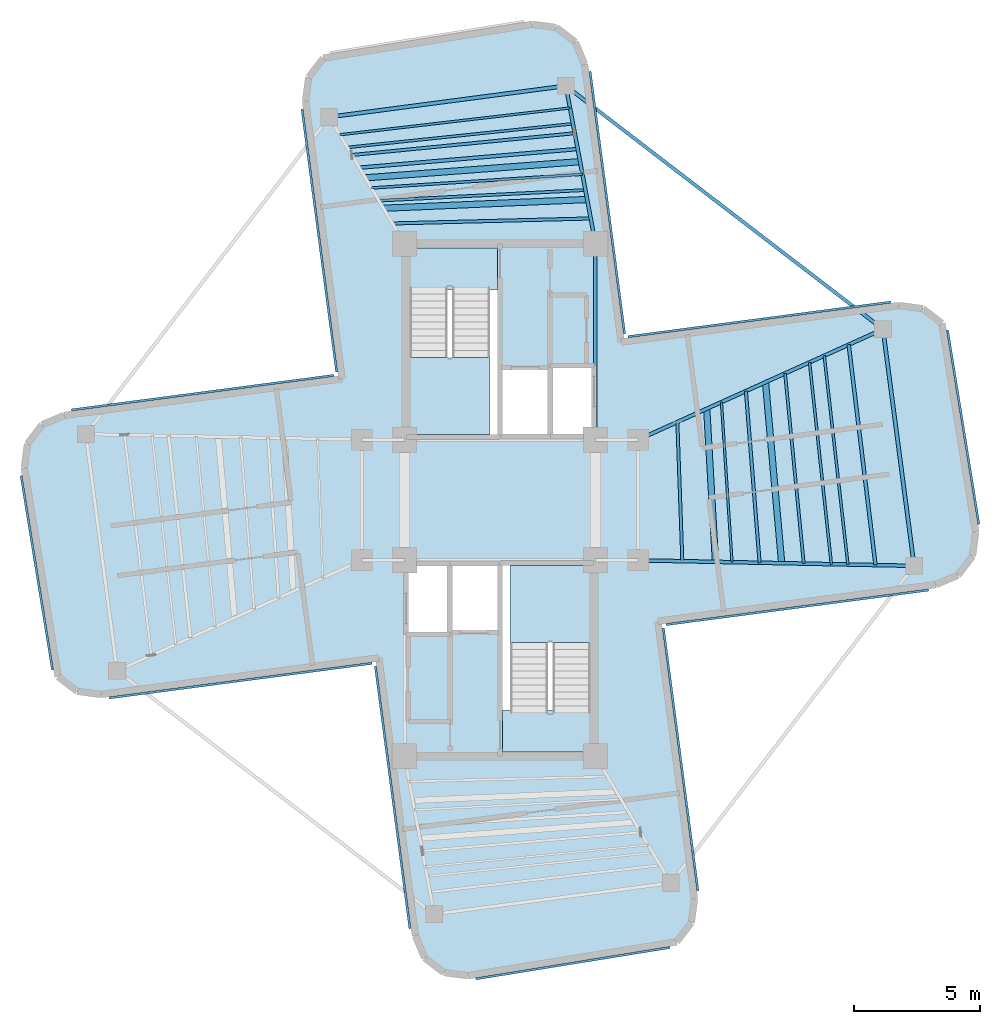
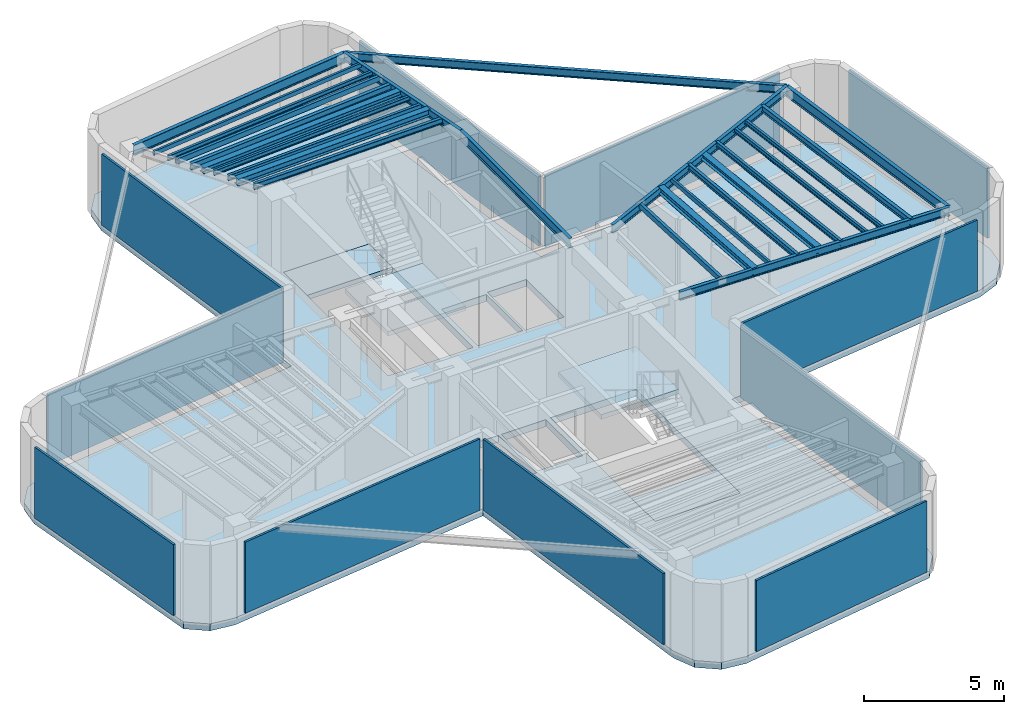
# One storey, part 2 of 6: 25 beams, 11 plates, 5 slabs, 2 elements without a shape of their own.
"""IFC4 building model written with IfcOpenShell, lengths in metres."""

from ifc_helpers import new_model, si_unit, direction, frame, origin, origin_2d, place, context, subcontext, project, spatial, polyline, rectangle, hollow_rectangle, i_section, outline, extrude, source, transform, mapped, material, layer, layer_set, material_profile, profile_set, type_object, element, aggregate, save


model = new_model("IFC4")

# Units and contexts
model_context = context("Model", 3, precision=1e-05, world=origin(), true_north=direction((0.0, 1.0)))
body_context = subcontext(model_context, "Body", "Model", "MODEL_VIEW")
ifc_project = project(units=[si_unit("LENGTHUNIT", "METRE"), si_unit("AREAUNIT", "SQUARE_METRE"), si_unit("VOLUMEUNIT", "CUBIC_METRE"), si_unit("PLANEANGLEUNIT", "RADIAN"), si_unit("MASSUNIT", "GRAM", prefix="KILO")], contexts=[model_context])

# Site, building, storey
site_placement = place(None, origin())
site = spatial("IfcSite", under=ifc_project, at=site_placement, CompositionType="ELEMENT")
building_placement = place(site_placement, origin())
building = spatial("IfcBuilding", under=site, at=building_placement, Name="Sahyath Konkavel Grand Hotel", CompositionType="ELEMENT")
storey_placement = place(building_placement, frame((0.0, 0.0, 296.5)))
storey = spatial("IfcBuildingStorey", under=building, at=storey_placement, Name="L82", CompositionType="ELEMENT", Elevation=296.5)

# Beams
ifc_material_1 = material(Name="Steel E350", Category="steel")
ifc_material_profile_1 = material_profile(ifc_material_1, i_section(OverallWidth=0.139892578125, OverallDepth=0.39990234375, WebThickness=0.0087890625, FlangeThickness=0.01611328125, FilletRadius=0.013916015625, at=origin_2d()), Name="ISMB 400")
ifc_profile_set_1 = profile_set([ifc_material_profile_1], Name="Steel E350")
beam_type_1 = type_object("IfcBeamType", Name="BM-ISMB400", PredefinedType="BEAM", material=ifc_profile_set_1)
shared_shape_1 = source(origin(), body_context, "Body", "SweptSolid", [
    extrude(i_section(OverallWidth=0.139892578125, OverallDepth=0.39990234375, WebThickness=0.0087890625, FlangeThickness=0.01611328125, FilletRadius=0.013916015625, at=origin_2d()), origin(), (0.0, 0.0, 1.0), 7.800048828125),
])
beam_1_placement = place(storey_placement, frame((3.800048828125, 2.39990234375, 3.300048828125), z_axis=(0.0, 1.0, 0.0), x_axis=(-1.0, 0.0, 0.0)))
element("IfcBeam", 1, at=beam_1_placement, inside=storey, type_object=beam_type_1, Name="str:bm:L82:NC-E", PredefinedType="BEAM", context=body_context, shape_type="MappedRepresentation", body=[
    mapped(shared_shape_1, transform((0.0, 0.0, 0.0), scale=1.0)),
])
ifc_material_profile_2 = material_profile(ifc_material_1, i_section(OverallWidth=0.14990234375, OverallDepth=0.449951171875, WebThickness=0.009521484375, FlangeThickness=0.017333984375, FilletRadius=0.014892578125, at=origin_2d()), Name="ISMB 450")
ifc_profile_set_2 = profile_set([ifc_material_profile_2], Name="Steel E350")
beam_type_2 = type_object("IfcBeamType", Name="BM-ISMB450", PredefinedType="BEAM", material=ifc_profile_set_2)
shared_shape_2 = source(origin(), body_context, "Body", "SweptSolid", [
    extrude(i_section(OverallWidth=0.14990234375, OverallDepth=0.449951171875, WebThickness=0.009521484375, FlangeThickness=0.017333984375, FilletRadius=0.014892578125, at=origin_2d()), origin(), (0.0, 0.0, 1.0), 9.5),
])
for number, where, z_axis, x_axis, name in (
    (2, (16.483154296875, -2.620849609375, 3.27490234375), (-0.130525643939, 0.991444933556, 0.0), (-0.991444933556, -0.130525643939, 0.0), "L82 Wing Tip Edge Beam E"),
    (3, (2.620849609375, 16.483154296875, 3.27490234375), (-0.991444933556, -0.130525643939, 0.0), (0.130525643939, -0.991444933556, 0.0), "L82 Wing Tip Edge Beam N"),
):
    element("IfcBeam", number, at=place(storey_placement, frame(where, z_axis=z_axis, x_axis=x_axis)), inside=storey, type_object=beam_type_2, Name=name, PredefinedType="BEAM", context=body_context, shape_type="MappedRepresentation", body=[
        mapped(shared_shape_2, transform((0.0, 0.0, 0.0), scale=1.0)),
    ])
ifc_material_profile_3 = material_profile(ifc_material_1, i_section(OverallWidth=0.139892578125, OverallDepth=0.35009765625, WebThickness=0.008056640625, FlangeThickness=0.01416015625, FilletRadius=0.013916015625, at=origin_2d()), Name="ISMB 350")
ifc_profile_set_3 = profile_set([ifc_material_profile_3], Name="Steel E350")
beam_type_3 = type_object("IfcBeamType", Name="BM-ISMB350", PredefinedType="BEAM", material=ifc_profile_set_3)
shared_shape_3 = source(origin(), body_context, "Body", "SweptSolid", [
    extrude(i_section(OverallWidth=0.139892578125, OverallDepth=0.35009765625, WebThickness=0.008056640625, FlangeThickness=0.01416015625, FilletRadius=0.013916015625, at=origin_2d()), origin(), (0.0, 0.0, 1.0), 10.9853515625),
])
beam_2_placement = place(storey_placement, frame((5.5, -2.39990234375, 3.324951171875), z_axis=(0.999797716106, -0.020112853337, 0.0), x_axis=(0.020112853337, 0.999797716106, 0.0)))
element("IfcBeam", 4, at=beam_2_placement, inside=storey, type_object=beam_type_3, Name="L82 Cruciform Radial Girder EA", PredefinedType="BEAM", context=body_context, shape_type="MappedRepresentation", body=[
    mapped(shared_shape_3, transform((0.0, 0.0, 0.0), scale=1.0)),
])
shared_shape_4 = source(origin(), body_context, "Body", "SweptSolid", [
    extrude(i_section(OverallWidth=0.139892578125, OverallDepth=0.35009765625, WebThickness=0.008056640625, FlangeThickness=0.01416015625, FilletRadius=0.013916015625, at=origin_2d()), origin(), (0.0, 0.0, 1.0), 10.689697265625),
])
beam_3_placement = place(storey_placement, frame((5.5, 2.39990234375, 3.324951171875), z_axis=(0.911447410295, 0.411416599405, 0.0), x_axis=(-0.411416599405, 0.911447410295, 0.0)))
element("IfcBeam", 5, at=beam_3_placement, inside=storey, type_object=beam_type_3, Name="L82 Cruciform Radial Girder EB", PredefinedType="BEAM", context=body_context, shape_type="MappedRepresentation", body=[
    mapped(shared_shape_4, transform((0.0, 0.0, 0.0), scale=1.0)),
])
shared_shape_5 = source(origin(), body_context, "Body", "SweptSolid", [
    extrude(i_section(OverallWidth=0.139892578125, OverallDepth=0.35009765625, WebThickness=0.008056640625, FlangeThickness=0.01416015625, FilletRadius=0.013916015625, at=origin_2d()), origin(), (0.0, 0.0, 1.0), 6.392822265625),
])
beam_4_placement = place(storey_placement, frame((3.800048828125, 10.199951171875, 3.324951171875), z_axis=(-0.184454547999, 0.982841044993, 0.0), x_axis=(-0.982841044993, -0.184454547999, 0.0)))
element("IfcBeam", 6, at=beam_4_placement, inside=storey, type_object=beam_type_3, Name="L82 Cruciform Radial Girder NA", PredefinedType="BEAM", context=body_context, shape_type="MappedRepresentation", body=[
    mapped(shared_shape_5, transform((0.0, 0.0, 0.0), scale=1.0)),
])
shared_shape_6 = source(origin(), body_context, "Body", "SweptSolid", [
    extrude(i_section(OverallWidth=0.139892578125, OverallDepth=0.35009765625, WebThickness=0.008056640625, FlangeThickness=0.01416015625, FilletRadius=0.013916015625, at=origin_2d()), origin(), (0.0, 0.0, 1.0), 15.909912109375),
])
beam_5_placement = place(storey_placement, frame((15.2431640625, 6.7978515625, 3.324951171875), z_axis=(-0.79335758392, 0.608755898564, 0.0), x_axis=(-0.608755898564, -0.79335758392, 0.0)))
element("IfcBeam", 7, at=beam_5_placement, inside=storey, type_object=beam_type_3, Name="L82 Re-Entrant Tie Beam NE", PredefinedType="BEAM", context=body_context, shape_type="MappedRepresentation", body=[
    mapped(shared_shape_6, transform((0.0, 0.0, 0.0), scale=1.0)),
])
ifc_material_profile_4 = material_profile(ifc_material_1, i_section(OverallWidth=0.25, OverallDepth=0.300048828125, WebThickness=0.009521484375, FlangeThickness=0.010498046875, FilletRadius=0.010986328125, at=origin_2d()), Name="ISHB 300")
ifc_profile_set_4 = profile_set([ifc_material_profile_4], Name="Steel E350")
beam_type_4 = type_object("IfcBeamType", Name="BM-ISHB300", PredefinedType="BEAM", material=ifc_profile_set_4)
shared_shape_7 = source(origin(), body_context, "Body", "SweptSolid", [
    extrude(i_section(OverallWidth=0.25, OverallDepth=0.300048828125, WebThickness=0.009521484375, FlangeThickness=0.010498046875, FilletRadius=0.010986328125, at=origin_2d()), origin(), (0.0, 0.0, 1.0), 6.10302734375),
])
beam_6_placement = place(storey_placement, frame((8.5751953125, -2.4619140625, 3.35009765625), z_axis=(-0.056883465537, 0.99838082481, 0.0), x_axis=(-0.99838082481, -0.056883465537, 0.0)))
element("IfcBeam", 8, at=beam_6_placement, inside=storey, type_object=beam_type_4, Name="L82 Secondary Floor Beam E-1", PredefinedType="BEAM", context=body_context, shape_type="MappedRepresentation", body=[
    mapped(shared_shape_7, transform((0.0, 0.0, 0.0), scale=1.0)),
])
ifc_material_profile_5 = material_profile(ifc_material_1, i_section(OverallWidth=0.25, OverallDepth=0.25, WebThickness=0.0087890625, FlangeThickness=0.009765625, FilletRadius=0.010009765625, at=origin_2d()), Name="ISHB 250")
ifc_profile_set_5 = profile_set([ifc_material_profile_5], Name="Steel E350")
beam_type_5 = type_object("IfcBeamType", Name="BM-ISHB250", PredefinedType="BEAM", material=ifc_profile_set_5)
shared_shape_8 = source(origin(), body_context, "Body", "SweptSolid", [
    extrude(i_section(OverallWidth=0.25, OverallDepth=0.25, WebThickness=0.0087890625, FlangeThickness=0.009765625, FilletRadius=0.010009765625, at=origin_2d()), origin(), (0.0, 0.0, 1.0), 7.230712890625),
])
beam_7_placement = place(storey_placement, frame((11.211181640625, -2.514892578125, 3.375), z_axis=(-0.089171800482, 0.996016259907, 0.0), x_axis=(-0.996016259907, -0.089171800482, 0.0)))
element("IfcBeam", 9, at=beam_7_placement, inside=storey, type_object=beam_type_5, Name="L82 Secondary Floor Beam E-2", PredefinedType="BEAM", context=body_context, shape_type="MappedRepresentation", body=[
    mapped(shared_shape_8, transform((0.0, 0.0, 0.0), scale=1.0)),
])
ifc_material_profile_6 = material_profile(ifc_material_1, i_section(OverallWidth=0.10009765625, OverallDepth=0.199951171875, WebThickness=0.005615234375, FlangeThickness=0.0107421875, FilletRadius=0.010986328125, at=origin_2d()), Name="ISMB 200")
ifc_profile_set_6 = profile_set([ifc_material_profile_6], Name="Steel E350")
beam_type_6 = type_object("IfcBeamType", Name="BM-ISMB200", PredefinedType="BEAM", material=ifc_profile_set_6)
shared_shape_9 = source(origin(), body_context, "Body", "SweptSolid", [
    extrude(i_section(OverallWidth=0.10009765625, OverallDepth=0.199951171875, WebThickness=0.005615234375, FlangeThickness=0.0107421875, FilletRadius=0.010986328125, at=origin_2d()), origin(), (0.0, 0.0, 1.0), 8.36328125),
])
beam_8_placement = place(storey_placement, frame((13.84716796875, -2.56787109375, 3.39990234375), z_axis=(-0.112680437677, 0.99363127918, 0.0), x_axis=(-0.99363127918, -0.112680437677, 0.0)))
element("IfcBeam", 10, at=beam_8_placement, inside=storey, type_object=beam_type_6, Name="L82 Secondary Floor Beam E-3", PredefinedType="BEAM", context=body_context, shape_type="MappedRepresentation", body=[
    mapped(shared_shape_9, transform((0.0, 0.0, 0.0), scale=1.0)),
])
shared_shape_10 = source(origin(), body_context, "Body", "SweptSolid", [
    extrude(i_section(OverallWidth=0.25, OverallDepth=0.300048828125, WebThickness=0.009521484375, FlangeThickness=0.010498046875, FilletRadius=0.010986328125, at=origin_2d()), origin(), (0.0, 0.0, 1.0), 8.11669921875),
])
beam_9_placement = place(storey_placement, frame((3.469970703125, 11.959228515625, 3.35009765625), z_axis=(-0.999084879956, -0.042771516718, 0.0), x_axis=(0.042771516718, -0.999084879956, 0.0)))
element("IfcBeam", 11, at=beam_9_placement, inside=storey, type_object=beam_type_4, Name="L82 Secondary Floor Beam N-1", PredefinedType="BEAM", context=body_context, shape_type="MappedRepresentation", body=[
    mapped(shared_shape_10, transform((0.0, 0.0, 0.0), scale=1.0)),
])
shared_shape_11 = source(origin(), body_context, "Body", "SweptSolid", [
    extrude(i_section(OverallWidth=0.25, OverallDepth=0.25, WebThickness=0.0087890625, FlangeThickness=0.009765625, FilletRadius=0.010009765625, at=origin_2d()), origin(), (0.0, 0.0, 1.0), 8.570068359375),
])
beam_10_placement = place(storey_placement, frame((3.18701171875, 13.46728515625, 3.375), z_axis=(-0.997165854664, -0.075234688098, 0.0), x_axis=(0.075234688098, -0.997165854664, 0.0)))
element("IfcBeam", 12, at=beam_10_placement, inside=storey, type_object=beam_type_5, Name="L82 Secondary Floor Beam N-2", PredefinedType="BEAM", context=body_context, shape_type="MappedRepresentation", body=[
    mapped(shared_shape_11, transform((0.0, 0.0, 0.0), scale=1.0)),
])
shared_shape_12 = source(origin(), body_context, "Body", "SweptSolid", [
    extrude(i_section(OverallWidth=0.10009765625, OverallDepth=0.199951171875, WebThickness=0.005615234375, FlangeThickness=0.0107421875, FilletRadius=0.010986328125, at=origin_2d()), origin(), (0.0, 0.0, 1.0), 9.031494140625),
])
beam_11_placement = place(storey_placement, frame((2.90380859375, 14.97509765625, 3.39990234375), z_axis=(-0.994541240043, -0.104344246869, 0.0), x_axis=(0.104344246869, -0.994541240043, 0.0)))
element("IfcBeam", 13, at=beam_11_placement, inside=storey, type_object=beam_type_6, Name="L82 Secondary Floor Beam N-3", PredefinedType="BEAM", context=body_context, shape_type="MappedRepresentation", body=[
    mapped(shared_shape_12, transform((0.0, 0.0, 0.0), scale=1.0)),
])
ifc_material_profile_7 = material_profile(ifc_material_1, hollow_rectangle(XDim=0.1201171875, YDim=0.219970703125, WallThickness=0.010009765625, at=origin_2d()), Name="RHS 220x120x10")
ifc_profile_set_7 = profile_set([ifc_material_profile_7], Name="Steel E350")
beam_type_7 = type_object("IfcBeamType", Name="BM-RHS220", PredefinedType="BEAM", material=ifc_profile_set_7)
shared_shape_13 = source(origin(), body_context, "Body", "SweptSolid", [
    extrude(hollow_rectangle(XDim=0.1201171875, YDim=0.219970703125, WallThickness=0.010009765625, at=origin_2d()), origin(), (0.0, 0.0, 1.0), 5.54248046875),
])
beam_12_placement = place(storey_placement, frame((7.25732421875, -2.435302734375, 3.389892578125), z_axis=(-0.035812512973, 0.999358526213, 0.0), x_axis=(-0.999358526213, -0.035812512973, 0.0)))
element("IfcBeam", 14, at=beam_12_placement, inside=storey, type_object=beam_type_7, Name="L82 Composite Deck Sub-Beam E-1", PredefinedType="BEAM", context=body_context, shape_type="MappedRepresentation", body=[
    mapped(shared_shape_13, transform((0.0, 0.0, 0.0), scale=1.0)),
])
ifc_material_profile_8 = material_profile(ifc_material_1, hollow_rectangle(XDim=0.090087890625, YDim=0.179931640625, WallThickness=0.008056640625, at=origin_2d()), Name="RHS 180x90x8")
ifc_profile_set_8 = profile_set([ifc_material_profile_8], Name="Steel E350")
beam_type_8 = type_object("IfcBeamType", Name="BM-RHS180", PredefinedType="BEAM", material=ifc_profile_set_8)
shared_shape_14 = source(origin(), body_context, "Body", "SweptSolid", [
    extrude(hollow_rectangle(XDim=0.090087890625, YDim=0.179931640625, WallThickness=0.008056640625, at=origin_2d()), origin(), (0.0, 0.0, 1.0), 6.38427734375),
])
beam_13_placement = place(storey_placement, frame((9.234375, -2.47509765625, 3.409912109375), z_axis=(-0.066041839115, 0.997816854681, 0.0), x_axis=(-0.997816854681, -0.066041839115, 0.0)))
element("IfcBeam", 15, at=beam_13_placement, inside=storey, type_object=beam_type_8, Name="L82 Composite Deck Sub-Beam E-2", PredefinedType="BEAM", context=body_context, shape_type="MappedRepresentation", body=[
    mapped(shared_shape_14, transform((0.0, 0.0, 0.0), scale=1.0)),
])
ifc_material_profile_9 = material_profile(ifc_material_1, i_section(OverallWidth=0.125, OverallDepth=0.25, WebThickness=0.0068359375, FlangeThickness=0.012451171875, FilletRadius=0.012939453125, at=origin_2d()), Name="ISMB 250")
ifc_profile_set_9 = profile_set([ifc_material_profile_9], Name="Steel E350")
beam_type_9 = type_object("IfcBeamType", Name="BM-ISMB250", PredefinedType="BEAM", material=ifc_profile_set_9)
shared_shape_15 = source(origin(), body_context, "Body", "SweptSolid", [
    extrude(i_section(OverallWidth=0.125, OverallDepth=0.25, WebThickness=0.0068359375, FlangeThickness=0.012451171875, FilletRadius=0.012939453125, at=origin_2d()), origin(), (0.0, 0.0, 1.0), 6.85400390625),
])
beam_14_placement = place(storey_placement, frame((10.33251953125, -2.497314453125, 3.375), z_axis=(-0.079575331875, 0.996828855199, 0.0), x_axis=(-0.996828855199, -0.079575331875, 0.0)))
element("IfcBeam", 16, at=beam_14_placement, inside=storey, type_object=beam_type_9, Name="L82 Composite Deck Sub-Beam E-3", PredefinedType="BEAM", context=body_context, shape_type="MappedRepresentation", body=[
    mapped(shared_shape_15, transform((0.0, 0.0, 0.0), scale=1.0)),
])
ifc_material_profile_10 = material_profile(ifc_material_1, i_section(OverallWidth=0.110107421875, OverallDepth=0.22509765625, WebThickness=0.006591796875, FlangeThickness=0.01171875, FilletRadius=0.011962890625, at=origin_2d()), Name="ISMB 225")
ifc_profile_set_10 = profile_set([ifc_material_profile_10], Name="Steel E350")
beam_type_10 = type_object("IfcBeamType", Name="BM-ISMB225", PredefinedType="BEAM", material=ifc_profile_set_10)
shared_shape_16 = source(origin(), body_context, "Body", "SweptSolid", [
    extrude(i_section(OverallWidth=0.110107421875, OverallDepth=0.22509765625, WebThickness=0.006591796875, FlangeThickness=0.01171875, FilletRadius=0.011962890625, at=origin_2d()), origin(), (0.0, 0.0, 1.0), 7.607666015625),
])
beam_15_placement = place(storey_placement, frame((12.08984375, -2.532470703125, 3.387451171875), z_axis=(-0.09778145576, 0.995207911398, 0.0), x_axis=(-0.995207911398, -0.09778145576, 0.0)))
element("IfcBeam", 17, at=beam_15_placement, inside=storey, type_object=beam_type_10, Name="L82 Composite Deck Sub-Beam E-4", PredefinedType="BEAM", context=body_context, shape_type="MappedRepresentation", body=[
    mapped(shared_shape_16, transform((0.0, 0.0, 0.0), scale=1.0)),
])
shared_shape_17 = source(origin(), body_context, "Body", "SweptSolid", [
    extrude(i_section(OverallWidth=0.10009765625, OverallDepth=0.199951171875, WebThickness=0.005615234375, FlangeThickness=0.0107421875, FilletRadius=0.010986328125, at=origin_2d()), origin(), (0.0, 0.0, 1.0), 8.079833984375),
])
beam_16_placement = place(storey_placement, frame((13.188232421875, -2.5546875, 3.39990234375), z_axis=(-0.107416459243, 0.994214113903, 0.0), x_axis=(-0.994214113903, -0.107416459243, 0.0)))
element("IfcBeam", 18, at=beam_16_placement, inside=storey, type_object=beam_type_6, Name="L82 Composite Deck Sub-Beam E-5", PredefinedType="BEAM", context=body_context, shape_type="MappedRepresentation", body=[
    mapped(shared_shape_17, transform((0.0, 0.0, 0.0), scale=1.0)),
])
ifc_material_profile_11 = material_profile(ifc_material_1, i_section(OverallWidth=0.139892578125, OverallDepth=0.27490234375, WebThickness=0.00634765625, FlangeThickness=0.0087890625, FilletRadius=0.012939453125, at=origin_2d()), Name="ISLB 275")
ifc_profile_set_11 = profile_set([ifc_material_profile_11], Name="Steel E350")
beam_type_11 = type_object("IfcBeamType", Name="BM-ISLB275", PredefinedType="BEAM", material=ifc_profile_set_11)
shared_shape_18 = source(origin(), body_context, "Body", "SweptSolid", [
    extrude(i_section(OverallWidth=0.139892578125, OverallDepth=0.27490234375, WebThickness=0.00634765625, FlangeThickness=0.0087890625, FilletRadius=0.012939453125, at=origin_2d()), origin(), (0.0, 0.0, 1.0), 8.8369140625),
])
beam_17_placement = place(storey_placement, frame((14.945556640625, -2.590087890625, 3.362548828125), z_axis=(-0.120677894343, 0.992691717411, 0.0), x_axis=(-0.992691717411, -0.120677894343, 0.0)))
element("IfcBeam", 19, at=beam_17_placement, inside=storey, type_object=beam_type_11, Name="L82 Composite Deck Sub-Beam E-6", PredefinedType="BEAM", context=body_context, shape_type="MappedRepresentation", body=[
    mapped(shared_shape_18, transform((0.0, 0.0, 0.0), scale=1.0)),
])
shared_shape_19 = source(origin(), body_context, "Body", "SweptSolid", [
    extrude(i_section(OverallWidth=0.125, OverallDepth=0.25, WebThickness=0.0068359375, FlangeThickness=0.012451171875, FilletRadius=0.012939453125, at=origin_2d()), origin(), (0.0, 0.0, 1.0), 7.893310546875),
])
beam_18_placement = place(storey_placement, frame((3.611328125, 11.205322265625, 3.375), z_axis=(-0.999683790083, -0.025145970772, 0.0), x_axis=(0.025145970772, -0.999683790083, 0.0)))
element("IfcBeam", 20, at=beam_18_placement, inside=storey, type_object=beam_type_9, Name="L82 Composite Deck Sub-Beam N-1", PredefinedType="BEAM", context=body_context, shape_type="MappedRepresentation", body=[
    mapped(shared_shape_19, transform((0.0, 0.0, 0.0), scale=1.0)),
])
shared_shape_20 = source(origin(), body_context, "Body", "SweptSolid", [
    extrude(i_section(OverallWidth=0.110107421875, OverallDepth=0.22509765625, WebThickness=0.006591796875, FlangeThickness=0.01171875, FilletRadius=0.011962890625, at=origin_2d()), origin(), (0.0, 0.0, 1.0), 8.229248046875),
])
beam_19_placement = place(storey_placement, frame((3.399169921875, 12.336181640625, 3.387451171875), z_axis=(-0.998688130329, -0.051205647534, 0.0), x_axis=(0.051205647534, -0.998688130329, 0.0)))
element("IfcBeam", 21, at=beam_19_placement, inside=storey, type_object=beam_type_10, Name="L82 Composite Deck Sub-Beam N-2", PredefinedType="BEAM", context=body_context, shape_type="MappedRepresentation", body=[
    mapped(shared_shape_20, transform((0.0, 0.0, 0.0), scale=1.0)),
])
shared_shape_21 = source(origin(), body_context, "Body", "SweptSolid", [
    extrude(i_section(OverallWidth=0.10009765625, OverallDepth=0.199951171875, WebThickness=0.005615234375, FlangeThickness=0.0107421875, FilletRadius=0.010986328125, at=origin_2d()), origin(), (0.0, 0.0, 1.0), 8.41796875),
])
beam_20_placement = place(storey_placement, frame((3.28125, 12.964599609375, 3.39990234375), z_axis=(-0.997896901011, -0.064821099595, 0.0), x_axis=(0.064821099595, -0.997896901011, 0.0)))
element("IfcBeam", 22, at=beam_20_placement, inside=storey, type_object=beam_type_6, Name="L82 Composite Deck Sub-Beam N-3", PredefinedType="BEAM", context=body_context, shape_type="MappedRepresentation", body=[
    mapped(shared_shape_21, transform((0.0, 0.0, 0.0), scale=1.0)),
])
shared_shape_22 = source(origin(), body_context, "Body", "SweptSolid", [
    extrude(i_section(OverallWidth=0.139892578125, OverallDepth=0.27490234375, WebThickness=0.00634765625, FlangeThickness=0.0087890625, FilletRadius=0.012939453125, at=origin_2d()), origin(), (0.0, 0.0, 1.0), 8.722900390625),
])
beam_21_placement = place(storey_placement, frame((3.092529296875, 13.969970703125, 3.362548828125), z_axis=(-0.996354605721, -0.085308262542, 0.0), x_axis=(0.085308262542, -0.996354605721, 0.0)))
element("IfcBeam", 23, at=beam_21_placement, inside=storey, type_object=beam_type_11, Name="L82 Composite Deck Sub-Beam N-4", PredefinedType="BEAM", context=body_context, shape_type="MappedRepresentation", body=[
    mapped(shared_shape_22, transform((0.0, 0.0, 0.0), scale=1.0)),
])
shared_shape_23 = source(origin(), body_context, "Body", "SweptSolid", [
    extrude(hollow_rectangle(XDim=0.1201171875, YDim=0.219970703125, WallThickness=0.010009765625, at=origin_2d()), origin(), (0.0, 0.0, 1.0), 8.915283203125),
])
beam_22_placement = place(storey_placement, frame((2.974609375, 14.59814453125, 3.389892578125), z_axis=(-0.995250138935, -0.097350711092, 0.0), x_axis=(0.097350711092, -0.995250138935, 0.0)))
element("IfcBeam", 24, at=beam_22_placement, inside=storey, type_object=beam_type_7, Name="L82 Composite Deck Sub-Beam N-5", PredefinedType="BEAM", context=body_context, shape_type="MappedRepresentation", body=[
    mapped(shared_shape_23, transform((0.0, 0.0, 0.0), scale=1.0)),
])
shared_shape_24 = source(origin(), body_context, "Body", "SweptSolid", [
    extrude(hollow_rectangle(XDim=0.090087890625, YDim=0.179931640625, WallThickness=0.008056640625, at=origin_2d()), origin(), (0.0, 0.0, 1.0), 9.225830078125),
])
beam_23_placement = place(storey_placement, frame((2.785888671875, 15.603515625, 3.409912109375), z_axis=(-0.993297209422, -0.115588294191, 0.0), x_axis=(0.115588294191, -0.993297209422, 0.0)))
element("IfcBeam", 25, at=beam_23_placement, inside=storey, type_object=beam_type_8, Name="L82 Composite Deck Sub-Beam N-6", PredefinedType="BEAM", context=body_context, shape_type="MappedRepresentation", body=[
    mapped(shared_shape_24, transform((0.0, 0.0, 0.0), scale=1.0)),
])

# Slab
ifc_material_2 = material(Name="Concrete C40/50", Category="concrete")
ifc_layer_1 = layer(ifc_material_2, 0.300048828125)
ifc_layer_set_1 = layer_set([ifc_layer_1], Name="Concrete C40/50")
slab_type_1 = type_object("IfcSlabType", Name="SLB-300", PredefinedType="FLOOR", material=ifc_layer_set_1)
slab_1_placement = place(storey_placement, frame((0.0, 0.0, -0.300048828125)))
element("IfcSlab", 26, at=slab_1_placement, inside=storey, type_object=slab_type_1, Name="L82 Structural Floor Slab", PredefinedType="FLOOR", context=body_context, shape_type="SweptSolid", body=[
    extrude(outline(polyline([(6.282958984375, -4.821044921875), (17.337646484375, -3.36572265625), (18.222412109375, -2.999267578125), (18.805419921875, -2.239501953125), (18.930419921875, -1.2900390625), (17.5849609375, 7.030517578125), (16.8251953125, 7.61328125), (15.875732421875, 7.73828125), (4.821044921875, 6.282958984375), (3.36572265625, 17.337646484375), (2.999267578125, 18.222412109375), (2.239501953125, 18.805419921875), (1.2900390625, 18.930419921875), (-7.030517578125, 17.5849609375), (-7.61328125, 16.8251953125), (-7.73828125, 15.875732421875), (-6.282958984375, 4.821044921875), (-17.337646484375, 3.36572265625), (-18.222412109375, 2.999267578125), (-18.805419921875, 2.239501953125), (-18.930419921875, 1.2900390625), (-17.5849609375, -7.030517578125), (-16.8251953125, -7.61328125), (-15.875732421875, -7.73828125), (-4.821044921875, -6.282958984375), (-3.36572265625, -17.337646484375), (-2.999267578125, -18.222412109375), (-2.239501953125, -18.805419921875), (-1.2900390625, -18.930419921875), (7.030517578125, -17.5849609375), (7.61328125, -16.8251953125), (7.73828125, -15.875732421875), (6.282958984375, -4.821044921875)]), holes=[polyline([(-3.6201171875, 2.580078125), (-0.10009765625, 2.580078125), (-0.10009765625, 10.02001953125), (-3.6201171875, 10.02001953125), (-3.6201171875, 2.580078125)]), polyline([(0.10009765625, -10.02001953125), (3.6201171875, -10.02001953125), (3.6201171875, -2.580078125), (0.10009765625, -2.580078125), (0.10009765625, -10.02001953125)]), polyline([(0.10009765625, 2.60009765625), (1.949951171875, 2.60009765625), (1.949951171875, 5.199951171875), (0.10009765625, 5.199951171875), (0.10009765625, 2.60009765625)]), polyline([(-1.949951171875, -5.199951171875), (-0.10009765625, -5.199951171875), (-0.10009765625, -2.60009765625), (-1.949951171875, -2.60009765625), (-1.949951171875, -5.199951171875)]), polyline([(2.050048828125, 2.60009765625), (3.64990234375, 2.60009765625), (3.64990234375, 5.300048828125), (2.050048828125, 5.300048828125), (2.050048828125, 2.60009765625)]), polyline([(-3.64990234375, -5.300048828125), (-2.050048828125, -5.300048828125), (-2.050048828125, -2.60009765625), (-3.64990234375, -2.60009765625), (-3.64990234375, -5.300048828125)])]), origin(), (0.0, 0.0, 1.0), 0.300048828125),
])

# Stair, slab
stair_type = type_object("IfcStairType", Name="STR-ST16-380", PredefinedType="HALF_TURN_STAIR", material=ifc_material_2)
stair_1_placement = place(storey_placement, origin())
stair_1 = element("IfcStair", 27, at=stair_1_placement, inside=storey, type_object=stair_type, Name="L82 North Core Smokeproof Exit Stair ST-1", PredefinedType="HALF_TURN_STAIR")
ifc_layer_2 = layer(ifc_material_2, 0.199951171875)
ifc_layer_set_2 = layer_set([ifc_layer_2], Name="Concrete C40/50")
slab_type_2 = type_object("IfcSlabType", Name="SLB-STAIR-LND", PredefinedType="LANDING", material=ifc_layer_set_2)
slab_2_placement = place(storey_placement, frame((0.0, 0.0, 1.699951171875)))
slab_2 = element("IfcSlab", 28, at=slab_2_placement, type_object=slab_type_2, Name="ST-1 landing 1", PredefinedType="LANDING", context=body_context, shape_type="SweptSolid", body=[
    extrude(outline(polyline([(-3.60009765625, 5.679931640625), (-3.60009765625, 2.60009765625), (-0.39990234375, 2.60009765625), (-0.39990234375, 5.679931640625), (-3.60009765625, 5.679931640625)])), origin(), (0.0, 0.0, 1.0), 0.199951171875),
])
aggregate(stair_1, [slab_2])

stair_2_placement = place(storey_placement, origin())
stair_2 = element("IfcStair", 29, at=stair_2_placement, inside=storey, type_object=stair_type, Name="L82 South Core Smokeproof Exit Stair ST-2", PredefinedType="HALF_TURN_STAIR")
slab_3_placement = place(storey_placement, frame((0.0, 0.0, 1.699951171875)))
slab_3 = element("IfcSlab", 30, at=slab_3_placement, type_object=slab_type_2, Name="ST-2 landing 1", PredefinedType="LANDING", context=body_context, shape_type="SweptSolid", body=[
    extrude(outline(polyline([(3.60009765625, -5.679931640625), (3.60009765625, -2.60009765625), (0.39990234375, -2.60009765625), (0.39990234375, -5.679931640625), (3.60009765625, -5.679931640625)])), origin(), (0.0, 0.0, 1.0), 0.199951171875),
])
aggregate(stair_2, [slab_3])

# Slabs
slab_4_placement = place(storey_placement, frame((0.0, 0.0, -0.199951171875)))
element("IfcSlab", 31, at=slab_4_placement, inside=storey, type_object=slab_type_2, Name="L82 Stair ST-1 Floor Landing Slab", PredefinedType="LANDING", context=body_context, shape_type="SweptSolid", body=[
    extrude(outline(polyline([(-3.6201171875, 8.35009765625), (-0.10009765625, 8.35009765625), (-0.10009765625, 10.02001953125), (-3.6201171875, 10.02001953125), (-3.6201171875, 8.35009765625)])), origin(), (0.0, 0.0, 1.0), 0.199951171875),
])
slab_5_placement = place(storey_placement, frame((0.0, 0.0, -0.199951171875)))
element("IfcSlab", 32, at=slab_5_placement, inside=storey, type_object=slab_type_2, Name="L82 Stair ST-2 Floor Landing Slab", PredefinedType="LANDING", context=body_context, shape_type="SweptSolid", body=[
    extrude(outline(polyline([(0.10009765625, -10.02001953125), (3.6201171875, -10.02001953125), (3.6201171875, -8.35009765625), (0.10009765625, -8.35009765625), (0.10009765625, -10.02001953125)])), origin(), (0.0, 0.0, 1.0), 0.199951171875),
])

# Plates
ifc_material_3 = material(Name="Warm Buff Sandstone Perforated Cladding", Category="masonry")
ifc_layer_3 = layer(ifc_material_3, 0.090087890625)
ifc_layer_set_3 = layer_set([ifc_layer_3], Name="Warm Buff Sandstone Perforated Cladding")
plate_type = type_object("IfcPlateType", Name="PNL-CROWN-LOUVRE", PredefinedType="SHEET", material=ifc_layer_set_3)
shared_shape_25 = source(origin(), body_context, "Body", "SweptSolid", [
    extrude(rectangle(XDim=10.550048828125, YDim=0.090087890625, at=origin_2d()), origin(), (0.0, 0.0, 1.0), 3.10009765625),
])
for number, where, z_axis, x_axis, name in (
    (33, (11.833740234375, -4.27197265625, 0.199951171875), (0.0, 0.0, 1.0), (0.991444861374, 0.13052619222, 0.0), "L82 Crown Perforated Sandstone Louvre Screen 0"),
    (34, (10.324951171875, 7.189208984375, 0.199951171875), (0.0, 0.0, 1.0), (-0.991444861374, -0.13052619222, 0.0), "L82 Crown Perforated Sandstone Louvre Screen 7"),
    (35, (4.27197265625, 11.833740234375, 0.199951171875), (0.0, 0.0, 1.0), (-0.13052619222, 0.991444861374, 0.0), "L82 Crown Perforated Sandstone Louvre Screen 8"),
    (36, (-7.189208984375, 10.324951171875, 0.199951171875), (0.0, 0.0, 1.0), (0.13052619222, -0.991444861374, 0.0), "L82 Crown Perforated Sandstone Louvre Screen 15"),
    (37, (-11.833740234375, 4.27197265625, 0.199951171875), (0.0, 0.0, 1.0), (-0.991444861374, -0.13052619222, 0.0), "L82 Crown Perforated Sandstone Louvre Screen 16"),
    (38, (-10.324951171875, -7.189208984375, 0.199951171875), (0.0, 0.0, 1.0), (0.991444861374, 0.13052619222, 0.0), "L82 Crown Perforated Sandstone Louvre Screen 23"),
    (39, (-4.27197265625, -11.833740234375, 0.199951171875), (0.0, 0.0, 1.0), (0.13052619222, -0.991444861374, 0.0), "L82 Crown Perforated Sandstone Louvre Screen 24"),
    (40, (7.189208984375, -10.324951171875, 0.199951171875), (0.0, 0.0, 1.0), (-0.13052619222, 0.991444861374, 0.0), "L82 Crown Perforated Sandstone Louvre Screen 31"),
):
    element("IfcPlate", number, at=place(storey_placement, frame(where, z_axis=z_axis, x_axis=x_axis)), inside=storey, type_object=plate_type, Name=name, PredefinedType="SHEET", context=body_context, shape_type="MappedRepresentation", body=[
        mapped(shared_shape_25, transform((0.0, 0.0, 0.0), scale=1.0)),
    ])
shared_shape_26 = source(origin(), body_context, "Body", "SweptSolid", [
    extrude(rectangle(XDim=7.8291015625, YDim=0.090087890625, at=origin_2d()), origin(), (0.0, 0.0, 1.0), 3.10009765625),
])
for number, where, z_axis, x_axis, name in (
    (41, (18.435302734375, 2.89892578125, 0.199951171875), (0.0, 0.0, 1.0), (-0.159622750546, 0.987178088041, 0.0), "L82 Crown Perforated Sandstone Louvre Screen 4"),
    (42, (-18.435302734375, -2.89892578125, 0.199951171875), (0.0, 0.0, 1.0), (0.159622750546, -0.987178088041, 0.0), "L82 Crown Perforated Sandstone Louvre Screen 20"),
    (43, (2.89892578125, -18.435302734375, 0.199951171875), (0.0, 0.0, 1.0), (0.987178088041, 0.159622750546, 0.0), "L82 Crown Perforated Sandstone Louvre Screen 28"),
):
    element("IfcPlate", number, at=place(storey_placement, frame(where, z_axis=z_axis, x_axis=x_axis)), inside=storey, type_object=plate_type, Name=name, PredefinedType="SHEET", context=body_context, shape_type="MappedRepresentation", body=[
        mapped(shared_shape_26, transform((0.0, 0.0, 0.0), scale=1.0)),
    ])

save(model, "model.ifc")
